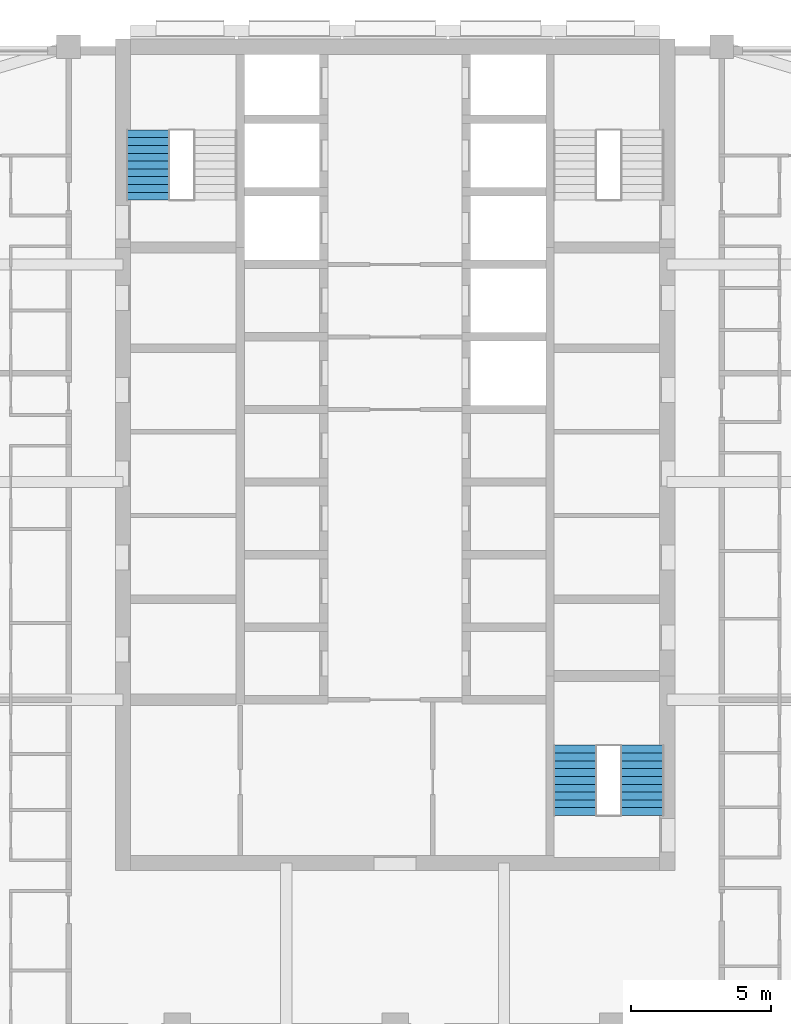
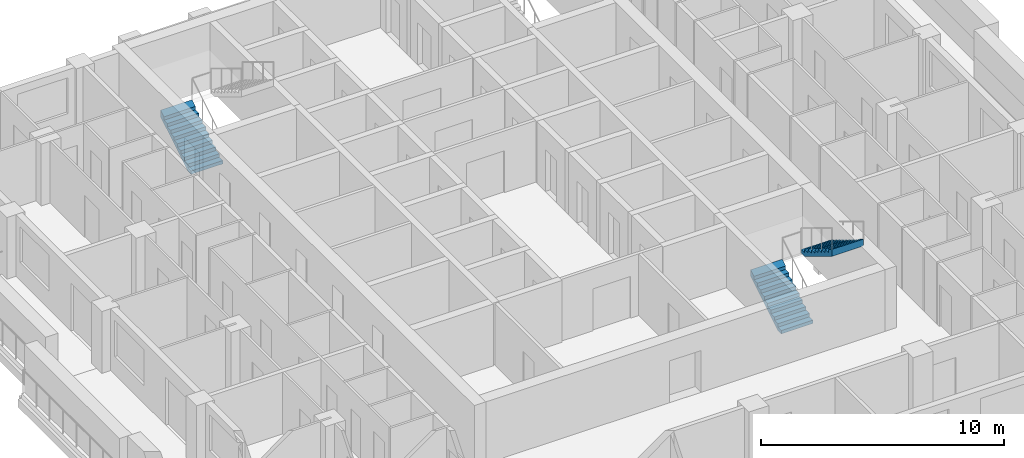
# One storey, part 11 of 14: 3 stair flights, 2 elements without a shape of their own.
"""IFC4 building model written with IfcOpenShell, lengths in metres."""

from ifc_helpers import new_model, si_unit, direction, frame, origin, place, context, subcontext, project, spatial, triangles, material, type_object, element, aggregate, save


model = new_model("IFC4")

# Units and contexts
model_context = context("Model", 3, precision=1e-05, world=origin(), true_north=direction((0.0, 1.0)))
body_context = subcontext(model_context, "Body", "Model", "MODEL_VIEW")
ifc_project = project(units=[si_unit("LENGTHUNIT", "METRE"), si_unit("AREAUNIT", "SQUARE_METRE"), si_unit("VOLUMEUNIT", "CUBIC_METRE"), si_unit("PLANEANGLEUNIT", "RADIAN"), si_unit("MASSUNIT", "GRAM", prefix="KILO")], contexts=[model_context])

# Site, building, storey
site_placement = place(None, origin())
site = spatial("IfcSite", under=ifc_project, at=site_placement, CompositionType="ELEMENT")
building_placement = place(site_placement, origin())
building = spatial("IfcBuilding", under=site, at=building_placement, Name="Ludao Terraces", CompositionType="ELEMENT")
storey_placement = place(building_placement, frame((0.0, 0.0, 140.699951171875)))
storey = spatial("IfcBuildingStorey", under=building, at=storey_placement, Name="L38", CompositionType="ELEMENT", Elevation=140.699951171875)

# Stair, stair flight
ifc_material = material(Name="Concrete C40", Category="concrete")
stair_type = type_object("IfcStairType", Name="INT Stair", PredefinedType="HALF_TURN_STAIR", material=ifc_material)
stair_1_placement = place(storey_placement, origin())
stair_1 = element("IfcStair", 1, at=stair_1_placement, inside=storey, type_object=stair_type, Name="EXIT STAIR 1", PredefinedType="HALF_TURN_STAIR")
stair_flight_type = type_object("IfcStairFlightType", Name="INT Stair flight", PredefinedType="STRAIGHT", material=ifc_material)
stair_flight_1_placement = place(storey_placement, frame((76.14990234375, 79.0, 0.0), z_axis=(0.0, 0.0, 1.0), x_axis=(0.0, 1.0, 0.0)))
stair_flight_1 = element("IfcStairFlight", 2, at=stair_flight_1_placement, type_object=stair_flight_type, Name="ST1 flight 1", NumberOfRisers=10, NumberOfTreads=9, PredefinedType="STRAIGHT", RiserHeight=0.17, TreadLength=0.28, context=body_context, shape_type="Tessellation", body=[
    triangles([(0.0, -0.75, 0.0), (0.0, -0.5, 0.0), (0.0, -0.25, 0.0), (0.0, 0.0, 0.0), (0.0, 0.25, 0.0), (0.0, 0.5, 0.0), (0.0, 0.75, 0.0), (0.0, -0.75, 0.169921875), (0.0, -0.5, 0.169921875), (0.0, -0.25, 0.169921875), (0.0, 0.0, 0.169921875), (0.0, 0.25, 0.169921875), (0.0, 0.5, 0.169921875), (0.0, 0.75, 0.169921875), (0.280029296875, -0.75, 0.169921875), (0.280029296875, -0.5, 0.169921875), (0.280029296875, -0.25, 0.169921875), (0.280029296875, 0.0, 0.169921875), (0.280029296875, 0.25, 0.169921875), (0.280029296875, 0.5, 0.169921875), (0.280029296875, 0.75, 0.169921875), (0.280029296875, -0.75, 0.340087890625), (0.280029296875, -0.5, 0.340087890625), (0.280029296875, -0.25, 0.340087890625), (0.280029296875, 0.0, 0.340087890625), (0.280029296875, 0.25, 0.340087890625), (0.280029296875, 0.5, 0.340087890625), (0.280029296875, 0.75, 0.340087890625), (0.56005859375, -0.75, 0.340087890625), (0.56005859375, -0.5, 0.340087890625), (0.56005859375, -0.25, 0.340087890625), (0.56005859375, 0.0, 0.340087890625), (0.56005859375, 0.25, 0.340087890625), (0.56005859375, 0.5, 0.340087890625), (0.56005859375, 0.75, 0.340087890625), (0.56005859375, -0.75, 0.510009765625), (0.56005859375, -0.5, 0.510009765625), (0.56005859375, -0.25, 0.510009765625), (0.56005859375, 0.0, 0.510009765625), (0.56005859375, 0.25, 0.510009765625), (0.56005859375, 0.5, 0.510009765625), (0.56005859375, 0.75, 0.510009765625), (0.840087890625, -0.75, 0.510009765625), (0.840087890625, -0.5, 0.510009765625), (0.840087890625, -0.25, 0.510009765625), (0.840087890625, 0.0, 0.510009765625), (0.840087890625, 0.25, 0.510009765625), (0.840087890625, 0.5, 0.510009765625), (0.840087890625, 0.75, 0.510009765625), (0.840087890625, -0.75, 0.679931640625), (0.840087890625, -0.5, 0.679931640625), (0.840087890625, -0.25, 0.679931640625), (0.840087890625, 0.0, 0.679931640625), (0.840087890625, 0.25, 0.679931640625), (0.840087890625, 0.5, 0.679931640625), (0.840087890625, 0.75, 0.679931640625), (1.1201171875, -0.75, 0.679931640625), (1.1201171875, -0.5, 0.679931640625), (1.1201171875, -0.25, 0.679931640625), (1.1201171875, 0.0, 0.679931640625), (1.1201171875, 0.25, 0.679931640625), (1.1201171875, 0.5, 0.679931640625), (1.1201171875, 0.75, 0.679931640625), (1.1201171875, -0.75, 0.85009765625), (1.1201171875, -0.5, 0.85009765625), (1.1201171875, -0.25, 0.85009765625), (1.1201171875, 0.0, 0.85009765625), (1.1201171875, 0.25, 0.85009765625), (1.1201171875, 0.5, 0.85009765625), (1.1201171875, 0.75, 0.85009765625), (1.39990234375, -0.75, 0.85009765625), (1.39990234375, -0.5, 0.85009765625), (1.39990234375, -0.25, 0.85009765625), (1.39990234375, 0.0, 0.85009765625), (1.39990234375, 0.25, 0.85009765625), (1.39990234375, 0.5, 0.85009765625), (1.39990234375, 0.75, 0.85009765625), (1.39990234375, -0.75, 1.02001953125), (1.39990234375, -0.5, 1.02001953125), (1.39990234375, -0.25, 1.02001953125), (1.39990234375, 0.0, 1.02001953125), (1.39990234375, 0.25, 1.02001953125), (1.39990234375, 0.5, 1.02001953125), (1.39990234375, 0.75, 1.02001953125), (1.679931640625, -0.75, 1.02001953125), (1.679931640625, -0.5, 1.02001953125), (1.679931640625, -0.25, 1.02001953125), (1.679931640625, 0.0, 1.02001953125), (1.679931640625, 0.25, 1.02001953125), (1.679931640625, 0.5, 1.02001953125), (1.679931640625, 0.75, 1.02001953125), (1.679931640625, -0.75, 1.18994140625), (1.679931640625, -0.5, 1.18994140625), (1.679931640625, -0.25, 1.18994140625), (1.679931640625, 0.0, 1.18994140625), (1.679931640625, 0.25, 1.18994140625), (1.679931640625, 0.5, 1.18994140625), (1.679931640625, 0.75, 1.18994140625), (1.9599609375, -0.75, 1.18994140625), (1.9599609375, -0.5, 1.18994140625), (1.9599609375, -0.25, 1.18994140625), (1.9599609375, 0.0, 1.18994140625), (1.9599609375, 0.25, 1.18994140625), (1.9599609375, 0.5, 1.18994140625), (1.9599609375, 0.75, 1.18994140625), (1.9599609375, -0.75, 1.360107421875), (1.9599609375, -0.5, 1.360107421875), (1.9599609375, -0.25, 1.360107421875), (1.9599609375, 0.0, 1.360107421875), (1.9599609375, 0.25, 1.360107421875), (1.9599609375, 0.5, 1.360107421875), (1.9599609375, 0.75, 1.360107421875), (2.239990234375, -0.75, 1.360107421875), (2.239990234375, -0.5, 1.360107421875), (2.239990234375, -0.25, 1.360107421875), (2.239990234375, 0.0, 1.360107421875), (2.239990234375, 0.25, 1.360107421875), (2.239990234375, 0.5, 1.360107421875), (2.239990234375, 0.75, 1.360107421875), (2.239990234375, -0.75, 1.530029296875), (2.239990234375, -0.5, 1.530029296875), (2.239990234375, -0.25, 1.530029296875), (2.239990234375, 0.0, 1.530029296875), (2.239990234375, 0.25, 1.530029296875), (2.239990234375, 0.5, 1.530029296875), (2.239990234375, 0.75, 1.530029296875), (2.52001953125, -0.75, 1.699951171875), (2.52001953125, -0.5, 1.699951171875), (2.52001953125, -0.25, 1.699951171875), (2.52001953125, 0.0, 1.699951171875), (2.52001953125, 0.25, 1.699951171875), (2.52001953125, 0.5, 1.699951171875), (2.52001953125, 0.75, 1.699951171875), (2.52001953125, -0.75, 1.354736328125), (2.52001953125, -0.5, 1.354736328125), (2.52001953125, -0.25, 1.354736328125), (2.52001953125, 0.0, 1.354736328125), (2.52001953125, 0.25, 1.354736328125), (2.52001953125, 0.5, 1.354736328125), (2.52001953125, 0.75, 1.354736328125), (0.288818359375, -0.75, 0.0), (0.288818359375, -0.5, 0.0), (0.288818359375, -0.25, 0.0), (0.288818359375, 0.0, 0.0), (0.288818359375, 0.25, 0.0), (0.288818359375, 0.5, 0.0), (0.288818359375, 0.75, 0.0)], [[1, 141, 134], [7, 140, 147], [134, 127, 120], [140, 126, 133], [134, 120, 113], [140, 119, 126], [134, 113, 106], [140, 112, 119], [134, 106, 99], [140, 105, 112], [99, 92, 85], [105, 91, 98], [134, 99, 85], [140, 91, 105], [85, 78, 71], [91, 77, 84], [134, 85, 71], [140, 77, 91], [71, 64, 57], [77, 63, 70], [134, 71, 57], [140, 63, 77], [57, 50, 43], [63, 49, 56], [134, 57, 43], [140, 49, 63], [43, 36, 29], [49, 35, 42], [134, 43, 29], [140, 35, 49], [29, 22, 15], [35, 21, 28], [134, 29, 15], [140, 21, 35], [1, 134, 15], [7, 21, 140], [15, 8, 1], [21, 7, 14], [1, 9, 2], [1, 8, 9], [2, 10, 3], [2, 9, 10], [3, 11, 4], [3, 10, 11], [4, 12, 5], [4, 11, 12], [5, 13, 6], [5, 12, 13], [6, 14, 7], [6, 13, 14], [8, 16, 9], [8, 15, 16], [9, 17, 10], [9, 16, 17], [10, 18, 11], [10, 17, 18], [11, 19, 12], [11, 18, 19], [12, 20, 13], [12, 19, 20], [13, 21, 14], [13, 20, 21], [15, 23, 16], [15, 22, 23], [16, 24, 17], [16, 23, 24], [17, 25, 18], [17, 24, 25], [18, 26, 19], [18, 25, 26], [19, 27, 20], [19, 26, 27], [20, 28, 21], [20, 27, 28], [22, 30, 23], [22, 29, 30], [23, 31, 24], [23, 30, 31], [24, 32, 25], [24, 31, 32], [25, 33, 26], [25, 32, 33], [26, 34, 27], [26, 33, 34], [27, 35, 28], [27, 34, 35], [29, 37, 30], [29, 36, 37], [30, 38, 31], [30, 37, 38], [31, 39, 32], [31, 38, 39], [32, 40, 33], [32, 39, 40], [33, 41, 34], [33, 40, 41], [34, 42, 35], [34, 41, 42], [36, 44, 37], [36, 43, 44], [37, 45, 38], [37, 44, 45], [38, 46, 39], [38, 45, 46], [39, 47, 40], [39, 46, 47], [40, 48, 41], [40, 47, 48], [41, 49, 42], [41, 48, 49], [43, 51, 44], [43, 50, 51], [44, 52, 45], [44, 51, 52], [45, 53, 46], [45, 52, 53], [46, 54, 47], [46, 53, 54], [47, 55, 48], [47, 54, 55], [48, 56, 49], [48, 55, 56], [50, 58, 51], [50, 57, 58], [51, 59, 52], [51, 58, 59], [52, 60, 53], [52, 59, 60], [53, 61, 54], [53, 60, 61], [54, 62, 55], [54, 61, 62], [55, 63, 56], [55, 62, 63], [57, 65, 58], [57, 64, 65], [58, 66, 59], [58, 65, 66], [59, 67, 60], [59, 66, 67], [60, 68, 61], [60, 67, 68], [61, 69, 62], [61, 68, 69], [62, 70, 63], [62, 69, 70], [64, 72, 65], [64, 71, 72], [65, 73, 66], [65, 72, 73], [66, 74, 67], [66, 73, 74], [67, 75, 68], [67, 74, 75], [68, 76, 69], [68, 75, 76], [69, 77, 70], [69, 76, 77], [71, 79, 72], [71, 78, 79], [72, 80, 73], [72, 79, 80], [73, 81, 74], [73, 80, 81], [74, 82, 75], [74, 81, 82], [75, 83, 76], [75, 82, 83], [76, 84, 77], [76, 83, 84], [78, 86, 79], [78, 85, 86], [79, 87, 80], [79, 86, 87], [80, 88, 81], [80, 87, 88], [81, 89, 82], [81, 88, 89], [82, 90, 83], [82, 89, 90], [83, 91, 84], [83, 90, 91], [85, 93, 86], [85, 92, 93], [86, 94, 87], [86, 93, 94], [87, 95, 88], [87, 94, 95], [88, 96, 89], [88, 95, 96], [89, 97, 90], [89, 96, 97], [90, 98, 91], [90, 97, 98], [92, 100, 93], [92, 99, 100], [93, 101, 94], [93, 100, 101], [94, 102, 95], [94, 101, 102], [95, 103, 96], [95, 102, 103], [96, 104, 97], [96, 103, 104], [97, 105, 98], [97, 104, 105], [99, 107, 100], [99, 106, 107], [100, 108, 101], [100, 107, 108], [101, 109, 102], [101, 108, 109], [102, 110, 103], [102, 109, 110], [103, 111, 104], [103, 110, 111], [104, 112, 105], [104, 111, 112], [106, 114, 107], [106, 113, 114], [107, 115, 108], [107, 114, 115], [108, 116, 109], [108, 115, 116], [109, 117, 110], [109, 116, 117], [110, 118, 111], [110, 117, 118], [111, 119, 112], [111, 118, 119], [113, 121, 114], [113, 120, 121], [114, 122, 115], [114, 121, 122], [115, 123, 116], [115, 122, 123], [116, 124, 117], [116, 123, 124], [117, 125, 118], [117, 124, 125], [118, 126, 119], [118, 125, 126], [120, 128, 121], [120, 127, 128], [121, 129, 122], [121, 128, 129], [122, 130, 123], [122, 129, 130], [123, 131, 124], [123, 130, 131], [124, 132, 125], [124, 131, 132], [125, 133, 126], [125, 132, 133], [127, 135, 128], [127, 134, 135], [128, 136, 129], [128, 135, 136], [129, 137, 130], [129, 136, 137], [130, 138, 131], [130, 137, 138], [131, 139, 132], [131, 138, 139], [132, 140, 133], [132, 139, 140], [134, 142, 135], [134, 141, 142], [135, 143, 136], [135, 142, 143], [136, 144, 137], [136, 143, 144], [137, 145, 138], [137, 144, 145], [138, 146, 139], [138, 145, 146], [139, 147, 140], [139, 146, 147], [141, 2, 142], [141, 1, 2], [142, 3, 143], [142, 2, 3], [143, 4, 144], [143, 3, 4], [144, 5, 145], [144, 4, 5], [145, 6, 146], [145, 5, 6], [146, 7, 147], [146, 6, 7]], closed=True),
])
aggregate(stair_1, [stair_flight_1])

# Stair, stair flights
stair_2_placement = place(storey_placement, origin())
stair_2 = element("IfcStair", 3, at=stair_2_placement, inside=storey, type_object=stair_type, Name="EXIT STAIR 3", PredefinedType="HALF_TURN_STAIR")
stair_flight_2_placement = place(storey_placement, frame((91.449951171875, 56.949951171875, 0.0), z_axis=(0.0, 0.0, 1.0), x_axis=(0.0, 1.0, 0.0)))
stair_flight_2 = element("IfcStairFlight", 4, at=stair_flight_2_placement, type_object=stair_flight_type, Name="ST3 flight 1", NumberOfRisers=10, NumberOfTreads=9, PredefinedType="STRAIGHT", RiserHeight=0.17, TreadLength=0.28, context=body_context, shape_type="Tessellation", body=[
    triangles([(0.0, -0.75, 0.0), (0.0, -0.5, 0.0), (0.0, -0.25, 0.0), (0.0, 0.0, 0.0), (0.0, 0.25, 0.0), (0.0, 0.5, 0.0), (0.0, 0.75, 0.0), (0.0, -0.75, 0.169921875), (0.0, -0.5, 0.169921875), (0.0, -0.25, 0.169921875), (0.0, 0.0, 0.169921875), (0.0, 0.25, 0.169921875), (0.0, 0.5, 0.169921875), (0.0, 0.75, 0.169921875), (0.280029296875, -0.75, 0.169921875), (0.280029296875, -0.5, 0.169921875), (0.280029296875, -0.25, 0.169921875), (0.280029296875, 0.0, 0.169921875), (0.280029296875, 0.25, 0.169921875), (0.280029296875, 0.5, 0.169921875), (0.280029296875, 0.75, 0.169921875), (0.280029296875, -0.75, 0.340087890625), (0.280029296875, -0.5, 0.340087890625), (0.280029296875, -0.25, 0.340087890625), (0.280029296875, 0.0, 0.340087890625), (0.280029296875, 0.25, 0.340087890625), (0.280029296875, 0.5, 0.340087890625), (0.280029296875, 0.75, 0.340087890625), (0.56005859375, -0.75, 0.340087890625), (0.56005859375, -0.5, 0.340087890625), (0.56005859375, -0.25, 0.340087890625), (0.56005859375, 0.0, 0.340087890625), (0.56005859375, 0.25, 0.340087890625), (0.56005859375, 0.5, 0.340087890625), (0.56005859375, 0.75, 0.340087890625), (0.56005859375, -0.75, 0.510009765625), (0.56005859375, -0.5, 0.510009765625), (0.56005859375, -0.25, 0.510009765625), (0.56005859375, 0.0, 0.510009765625), (0.56005859375, 0.25, 0.510009765625), (0.56005859375, 0.5, 0.510009765625), (0.56005859375, 0.75, 0.510009765625), (0.840087890625, -0.75, 0.510009765625), (0.840087890625, -0.5, 0.510009765625), (0.840087890625, -0.25, 0.510009765625), (0.840087890625, 0.0, 0.510009765625), (0.840087890625, 0.25, 0.510009765625), (0.840087890625, 0.5, 0.510009765625), (0.840087890625, 0.75, 0.510009765625), (0.840087890625, -0.75, 0.679931640625), (0.840087890625, -0.5, 0.679931640625), (0.840087890625, -0.25, 0.679931640625), (0.840087890625, 0.0, 0.679931640625), (0.840087890625, 0.25, 0.679931640625), (0.840087890625, 0.5, 0.679931640625), (0.840087890625, 0.75, 0.679931640625), (1.1201171875, -0.75, 0.679931640625), (1.1201171875, -0.5, 0.679931640625), (1.1201171875, -0.25, 0.679931640625), (1.1201171875, 0.0, 0.679931640625), (1.1201171875, 0.25, 0.679931640625), (1.1201171875, 0.5, 0.679931640625), (1.1201171875, 0.75, 0.679931640625), (1.1201171875, -0.75, 0.85009765625), (1.1201171875, -0.5, 0.85009765625), (1.1201171875, -0.25, 0.85009765625), (1.1201171875, 0.0, 0.85009765625), (1.1201171875, 0.25, 0.85009765625), (1.1201171875, 0.5, 0.85009765625), (1.1201171875, 0.75, 0.85009765625), (1.39990234375, -0.75, 0.85009765625), (1.39990234375, -0.5, 0.85009765625), (1.39990234375, -0.25, 0.85009765625), (1.39990234375, 0.0, 0.85009765625), (1.39990234375, 0.25, 0.85009765625), (1.39990234375, 0.5, 0.85009765625), (1.39990234375, 0.75, 0.85009765625), (1.39990234375, -0.75, 1.02001953125), (1.39990234375, -0.5, 1.02001953125), (1.39990234375, -0.25, 1.02001953125), (1.39990234375, 0.0, 1.02001953125), (1.39990234375, 0.25, 1.02001953125), (1.39990234375, 0.5, 1.02001953125), (1.39990234375, 0.75, 1.02001953125), (1.679931640625, -0.75, 1.02001953125), (1.679931640625, -0.5, 1.02001953125), (1.679931640625, -0.25, 1.02001953125), (1.679931640625, 0.0, 1.02001953125), (1.679931640625, 0.25, 1.02001953125), (1.679931640625, 0.5, 1.02001953125), (1.679931640625, 0.75, 1.02001953125), (1.679931640625, -0.75, 1.18994140625), (1.679931640625, -0.5, 1.18994140625), (1.679931640625, -0.25, 1.18994140625), (1.679931640625, 0.0, 1.18994140625), (1.679931640625, 0.25, 1.18994140625), (1.679931640625, 0.5, 1.18994140625), (1.679931640625, 0.75, 1.18994140625), (1.9599609375, -0.75, 1.18994140625), (1.9599609375, -0.5, 1.18994140625), (1.9599609375, -0.25, 1.18994140625), (1.9599609375, 0.0, 1.18994140625), (1.9599609375, 0.25, 1.18994140625), (1.9599609375, 0.5, 1.18994140625), (1.9599609375, 0.75, 1.18994140625), (1.9599609375, -0.75, 1.360107421875), (1.9599609375, -0.5, 1.360107421875), (1.9599609375, -0.25, 1.360107421875), (1.9599609375, 0.0, 1.360107421875), (1.9599609375, 0.25, 1.360107421875), (1.9599609375, 0.5, 1.360107421875), (1.9599609375, 0.75, 1.360107421875), (2.239990234375, -0.75, 1.360107421875), (2.239990234375, -0.5, 1.360107421875), (2.239990234375, -0.25, 1.360107421875), (2.239990234375, 0.0, 1.360107421875), (2.239990234375, 0.25, 1.360107421875), (2.239990234375, 0.5, 1.360107421875), (2.239990234375, 0.75, 1.360107421875), (2.239990234375, -0.75, 1.530029296875), (2.239990234375, -0.5, 1.530029296875), (2.239990234375, -0.25, 1.530029296875), (2.239990234375, 0.0, 1.530029296875), (2.239990234375, 0.25, 1.530029296875), (2.239990234375, 0.5, 1.530029296875), (2.239990234375, 0.75, 1.530029296875), (2.52001953125, -0.75, 1.699951171875), (2.52001953125, -0.5, 1.699951171875), (2.52001953125, -0.25, 1.699951171875), (2.52001953125, 0.0, 1.699951171875), (2.52001953125, 0.25, 1.699951171875), (2.52001953125, 0.5, 1.699951171875), (2.52001953125, 0.75, 1.699951171875), (2.52001953125, -0.75, 1.354736328125), (2.52001953125, -0.5, 1.354736328125), (2.52001953125, -0.25, 1.354736328125), (2.52001953125, 0.0, 1.354736328125), (2.52001953125, 0.25, 1.354736328125), (2.52001953125, 0.5, 1.354736328125), (2.52001953125, 0.75, 1.354736328125), (0.288818359375, -0.75, 0.0), (0.288818359375, -0.5, 0.0), (0.288818359375, -0.25, 0.0), (0.288818359375, 0.0, 0.0), (0.288818359375, 0.25, 0.0), (0.288818359375, 0.5, 0.0), (0.288818359375, 0.75, 0.0)], [[1, 141, 134], [7, 140, 147], [134, 127, 120], [140, 126, 133], [134, 120, 113], [140, 119, 126], [134, 113, 106], [140, 112, 119], [134, 106, 99], [140, 105, 112], [99, 92, 85], [105, 91, 98], [134, 99, 85], [140, 91, 105], [85, 78, 71], [91, 77, 84], [134, 85, 71], [140, 77, 91], [71, 64, 57], [77, 63, 70], [134, 71, 57], [140, 63, 77], [57, 50, 43], [63, 49, 56], [134, 57, 43], [140, 49, 63], [43, 36, 29], [49, 35, 42], [134, 43, 29], [140, 35, 49], [29, 22, 15], [35, 21, 28], [134, 29, 15], [140, 21, 35], [1, 134, 15], [7, 21, 140], [15, 8, 1], [21, 7, 14], [1, 9, 2], [1, 8, 9], [2, 10, 3], [2, 9, 10], [3, 11, 4], [3, 10, 11], [4, 12, 5], [4, 11, 12], [5, 13, 6], [5, 12, 13], [6, 14, 7], [6, 13, 14], [8, 16, 9], [8, 15, 16], [9, 17, 10], [9, 16, 17], [10, 18, 11], [10, 17, 18], [11, 19, 12], [11, 18, 19], [12, 20, 13], [12, 19, 20], [13, 21, 14], [13, 20, 21], [15, 23, 16], [15, 22, 23], [16, 24, 17], [16, 23, 24], [17, 25, 18], [17, 24, 25], [18, 26, 19], [18, 25, 26], [19, 27, 20], [19, 26, 27], [20, 28, 21], [20, 27, 28], [22, 30, 23], [22, 29, 30], [23, 31, 24], [23, 30, 31], [24, 32, 25], [24, 31, 32], [25, 33, 26], [25, 32, 33], [26, 34, 27], [26, 33, 34], [27, 35, 28], [27, 34, 35], [29, 37, 30], [29, 36, 37], [30, 38, 31], [30, 37, 38], [31, 39, 32], [31, 38, 39], [32, 40, 33], [32, 39, 40], [33, 41, 34], [33, 40, 41], [34, 42, 35], [34, 41, 42], [36, 44, 37], [36, 43, 44], [37, 45, 38], [37, 44, 45], [38, 46, 39], [38, 45, 46], [39, 47, 40], [39, 46, 47], [40, 48, 41], [40, 47, 48], [41, 49, 42], [41, 48, 49], [43, 51, 44], [43, 50, 51], [44, 52, 45], [44, 51, 52], [45, 53, 46], [45, 52, 53], [46, 54, 47], [46, 53, 54], [47, 55, 48], [47, 54, 55], [48, 56, 49], [48, 55, 56], [50, 58, 51], [50, 57, 58], [51, 59, 52], [51, 58, 59], [52, 60, 53], [52, 59, 60], [53, 61, 54], [53, 60, 61], [54, 62, 55], [54, 61, 62], [55, 63, 56], [55, 62, 63], [57, 65, 58], [57, 64, 65], [58, 66, 59], [58, 65, 66], [59, 67, 60], [59, 66, 67], [60, 68, 61], [60, 67, 68], [61, 69, 62], [61, 68, 69], [62, 70, 63], [62, 69, 70], [64, 72, 65], [64, 71, 72], [65, 73, 66], [65, 72, 73], [66, 74, 67], [66, 73, 74], [67, 75, 68], [67, 74, 75], [68, 76, 69], [68, 75, 76], [69, 77, 70], [69, 76, 77], [71, 79, 72], [71, 78, 79], [72, 80, 73], [72, 79, 80], [73, 81, 74], [73, 80, 81], [74, 82, 75], [74, 81, 82], [75, 83, 76], [75, 82, 83], [76, 84, 77], [76, 83, 84], [78, 86, 79], [78, 85, 86], [79, 87, 80], [79, 86, 87], [80, 88, 81], [80, 87, 88], [81, 89, 82], [81, 88, 89], [82, 90, 83], [82, 89, 90], [83, 91, 84], [83, 90, 91], [85, 93, 86], [85, 92, 93], [86, 94, 87], [86, 93, 94], [87, 95, 88], [87, 94, 95], [88, 96, 89], [88, 95, 96], [89, 97, 90], [89, 96, 97], [90, 98, 91], [90, 97, 98], [92, 100, 93], [92, 99, 100], [93, 101, 94], [93, 100, 101], [94, 102, 95], [94, 101, 102], [95, 103, 96], [95, 102, 103], [96, 104, 97], [96, 103, 104], [97, 105, 98], [97, 104, 105], [99, 107, 100], [99, 106, 107], [100, 108, 101], [100, 107, 108], [101, 109, 102], [101, 108, 109], [102, 110, 103], [102, 109, 110], [103, 111, 104], [103, 110, 111], [104, 112, 105], [104, 111, 112], [106, 114, 107], [106, 113, 114], [107, 115, 108], [107, 114, 115], [108, 116, 109], [108, 115, 116], [109, 117, 110], [109, 116, 117], [110, 118, 111], [110, 117, 118], [111, 119, 112], [111, 118, 119], [113, 121, 114], [113, 120, 121], [114, 122, 115], [114, 121, 122], [115, 123, 116], [115, 122, 123], [116, 124, 117], [116, 123, 124], [117, 125, 118], [117, 124, 125], [118, 126, 119], [118, 125, 126], [120, 128, 121], [120, 127, 128], [121, 129, 122], [121, 128, 129], [122, 130, 123], [122, 129, 130], [123, 131, 124], [123, 130, 131], [124, 132, 125], [124, 131, 132], [125, 133, 126], [125, 132, 133], [127, 135, 128], [127, 134, 135], [128, 136, 129], [128, 135, 136], [129, 137, 130], [129, 136, 137], [130, 138, 131], [130, 137, 138], [131, 139, 132], [131, 138, 139], [132, 140, 133], [132, 139, 140], [134, 142, 135], [134, 141, 142], [135, 143, 136], [135, 142, 143], [136, 144, 137], [136, 143, 144], [137, 145, 138], [137, 144, 145], [138, 146, 139], [138, 145, 146], [139, 147, 140], [139, 146, 147], [141, 2, 142], [141, 1, 2], [142, 3, 143], [142, 2, 3], [143, 4, 144], [143, 3, 4], [144, 5, 145], [144, 4, 5], [145, 6, 146], [145, 5, 6], [146, 7, 147], [146, 6, 7]], closed=True),
])
stair_flight_3_placement = place(storey_placement, frame((93.85009765625, 59.469970703125, 1.699951171875), z_axis=(0.0, 0.0, 1.0), x_axis=(0.0, -1.0, 0.0)))
stair_flight_3 = element("IfcStairFlight", 5, at=stair_flight_3_placement, type_object=stair_flight_type, Name="ST3 flight 2", NumberOfRisers=10, NumberOfTreads=9, PredefinedType="STRAIGHT", RiserHeight=0.17, TreadLength=0.28, context=body_context, shape_type="Tessellation", body=[
    triangles([(0.0, -0.75, 0.0), (0.0, -0.5, 0.0), (0.0, -0.25, 0.0), (0.0, 0.0, 0.0), (0.0, 0.25, 0.0), (0.0, 0.5, 0.0), (0.0, 0.75, 0.0), (0.0, -0.75, 0.169921875), (0.0, -0.5, 0.169921875), (0.0, -0.25, 0.169921875), (0.0, 0.0, 0.169921875), (0.0, 0.25, 0.169921875), (0.0, 0.5, 0.169921875), (0.0, 0.75, 0.169921875), (0.280029296875, -0.75, 0.169921875), (0.280029296875, -0.5, 0.169921875), (0.280029296875, -0.25, 0.169921875), (0.280029296875, 0.0, 0.169921875), (0.280029296875, 0.25, 0.169921875), (0.280029296875, 0.5, 0.169921875), (0.280029296875, 0.75, 0.169921875), (0.280029296875, -0.75, 0.340087890625), (0.280029296875, -0.5, 0.340087890625), (0.280029296875, -0.25, 0.340087890625), (0.280029296875, 0.0, 0.340087890625), (0.280029296875, 0.25, 0.340087890625), (0.280029296875, 0.5, 0.340087890625), (0.280029296875, 0.75, 0.340087890625), (0.56005859375, -0.75, 0.340087890625), (0.56005859375, -0.5, 0.340087890625), (0.56005859375, -0.25, 0.340087890625), (0.56005859375, 0.0, 0.340087890625), (0.56005859375, 0.25, 0.340087890625), (0.56005859375, 0.5, 0.340087890625), (0.56005859375, 0.75, 0.340087890625), (0.56005859375, -0.75, 0.510009765625), (0.56005859375, -0.5, 0.510009765625), (0.56005859375, -0.25, 0.510009765625), (0.56005859375, 0.0, 0.510009765625), (0.56005859375, 0.25, 0.510009765625), (0.56005859375, 0.5, 0.510009765625), (0.56005859375, 0.75, 0.510009765625), (0.840087890625, -0.75, 0.510009765625), (0.840087890625, -0.5, 0.510009765625), (0.840087890625, -0.25, 0.510009765625), (0.840087890625, 0.0, 0.510009765625), (0.840087890625, 0.25, 0.510009765625), (0.840087890625, 0.5, 0.510009765625), (0.840087890625, 0.75, 0.510009765625), (0.840087890625, -0.75, 0.679931640625), (0.840087890625, -0.5, 0.679931640625), (0.840087890625, -0.25, 0.679931640625), (0.840087890625, 0.0, 0.679931640625), (0.840087890625, 0.25, 0.679931640625), (0.840087890625, 0.5, 0.679931640625), (0.840087890625, 0.75, 0.679931640625), (1.1201171875, -0.75, 0.679931640625), (1.1201171875, -0.5, 0.679931640625), (1.1201171875, -0.25, 0.679931640625), (1.1201171875, 0.0, 0.679931640625), (1.1201171875, 0.25, 0.679931640625), (1.1201171875, 0.5, 0.679931640625), (1.1201171875, 0.75, 0.679931640625), (1.1201171875, -0.75, 0.85009765625), (1.1201171875, -0.5, 0.85009765625), (1.1201171875, -0.25, 0.85009765625), (1.1201171875, 0.0, 0.85009765625), (1.1201171875, 0.25, 0.85009765625), (1.1201171875, 0.5, 0.85009765625), (1.1201171875, 0.75, 0.85009765625), (1.39990234375, -0.75, 0.85009765625), (1.39990234375, -0.5, 0.85009765625), (1.39990234375, -0.25, 0.85009765625), (1.39990234375, 0.0, 0.85009765625), (1.39990234375, 0.25, 0.85009765625), (1.39990234375, 0.5, 0.85009765625), (1.39990234375, 0.75, 0.85009765625), (1.39990234375, -0.75, 1.02001953125), (1.39990234375, -0.5, 1.02001953125), (1.39990234375, -0.25, 1.02001953125), (1.39990234375, 0.0, 1.02001953125), (1.39990234375, 0.25, 1.02001953125), (1.39990234375, 0.5, 1.02001953125), (1.39990234375, 0.75, 1.02001953125), (1.679931640625, -0.75, 1.02001953125), (1.679931640625, -0.5, 1.02001953125), (1.679931640625, -0.25, 1.02001953125), (1.679931640625, 0.0, 1.02001953125), (1.679931640625, 0.25, 1.02001953125), (1.679931640625, 0.5, 1.02001953125), (1.679931640625, 0.75, 1.02001953125), (1.679931640625, -0.75, 1.18994140625), (1.679931640625, -0.5, 1.18994140625), (1.679931640625, -0.25, 1.18994140625), (1.679931640625, 0.0, 1.18994140625), (1.679931640625, 0.25, 1.18994140625), (1.679931640625, 0.5, 1.18994140625), (1.679931640625, 0.75, 1.18994140625), (1.9599609375, -0.75, 1.18994140625), (1.9599609375, -0.5, 1.18994140625), (1.9599609375, -0.25, 1.18994140625), (1.9599609375, 0.0, 1.18994140625), (1.9599609375, 0.25, 1.18994140625), (1.9599609375, 0.5, 1.18994140625), (1.9599609375, 0.75, 1.18994140625), (1.9599609375, -0.75, 1.360107421875), (1.9599609375, -0.5, 1.360107421875), (1.9599609375, -0.25, 1.360107421875), (1.9599609375, 0.0, 1.360107421875), (1.9599609375, 0.25, 1.360107421875), (1.9599609375, 0.5, 1.360107421875), (1.9599609375, 0.75, 1.360107421875), (2.239990234375, -0.75, 1.360107421875), (2.239990234375, -0.5, 1.360107421875), (2.239990234375, -0.25, 1.360107421875), (2.239990234375, 0.0, 1.360107421875), (2.239990234375, 0.25, 1.360107421875), (2.239990234375, 0.5, 1.360107421875), (2.239990234375, 0.75, 1.360107421875), (2.239990234375, -0.75, 1.530029296875), (2.239990234375, -0.5, 1.530029296875), (2.239990234375, -0.25, 1.530029296875), (2.239990234375, 0.0, 1.530029296875), (2.239990234375, 0.25, 1.530029296875), (2.239990234375, 0.5, 1.530029296875), (2.239990234375, 0.75, 1.530029296875), (2.52001953125, -0.75, 1.699951171875), (2.52001953125, -0.5, 1.699951171875), (2.52001953125, -0.25, 1.699951171875), (2.52001953125, 0.0, 1.699951171875), (2.52001953125, 0.25, 1.699951171875), (2.52001953125, 0.5, 1.699951171875), (2.52001953125, 0.75, 1.699951171875), (2.52001953125, -0.75, 1.354736328125), (2.52001953125, -0.5, 1.354736328125), (2.52001953125, -0.25, 1.354736328125), (2.52001953125, 0.0, 1.354736328125), (2.52001953125, 0.25, 1.354736328125), (2.52001953125, 0.5, 1.354736328125), (2.52001953125, 0.75, 1.354736328125), (0.288818359375, -0.75, 0.0), (0.288818359375, -0.5, 0.0), (0.288818359375, -0.25, 0.0), (0.288818359375, 0.0, 0.0), (0.288818359375, 0.25, 0.0), (0.288818359375, 0.5, 0.0), (0.288818359375, 0.75, 0.0)], [[1, 141, 134], [7, 140, 147], [134, 127, 120], [140, 126, 133], [134, 120, 113], [140, 119, 126], [134, 113, 106], [140, 112, 119], [134, 106, 99], [140, 105, 112], [99, 92, 85], [105, 91, 98], [134, 99, 85], [140, 91, 105], [85, 78, 71], [91, 77, 84], [134, 85, 71], [140, 77, 91], [71, 64, 57], [77, 63, 70], [134, 71, 57], [140, 63, 77], [57, 50, 43], [63, 49, 56], [134, 57, 43], [140, 49, 63], [43, 36, 29], [49, 35, 42], [134, 43, 29], [140, 35, 49], [29, 22, 15], [35, 21, 28], [134, 29, 15], [140, 21, 35], [1, 134, 15], [7, 21, 140], [15, 8, 1], [21, 7, 14], [1, 9, 2], [1, 8, 9], [2, 10, 3], [2, 9, 10], [3, 11, 4], [3, 10, 11], [4, 12, 5], [4, 11, 12], [5, 13, 6], [5, 12, 13], [6, 14, 7], [6, 13, 14], [8, 16, 9], [8, 15, 16], [9, 17, 10], [9, 16, 17], [10, 18, 11], [10, 17, 18], [11, 19, 12], [11, 18, 19], [12, 20, 13], [12, 19, 20], [13, 21, 14], [13, 20, 21], [15, 23, 16], [15, 22, 23], [16, 24, 17], [16, 23, 24], [17, 25, 18], [17, 24, 25], [18, 26, 19], [18, 25, 26], [19, 27, 20], [19, 26, 27], [20, 28, 21], [20, 27, 28], [22, 30, 23], [22, 29, 30], [23, 31, 24], [23, 30, 31], [24, 32, 25], [24, 31, 32], [25, 33, 26], [25, 32, 33], [26, 34, 27], [26, 33, 34], [27, 35, 28], [27, 34, 35], [29, 37, 30], [29, 36, 37], [30, 38, 31], [30, 37, 38], [31, 39, 32], [31, 38, 39], [32, 40, 33], [32, 39, 40], [33, 41, 34], [33, 40, 41], [34, 42, 35], [34, 41, 42], [36, 44, 37], [36, 43, 44], [37, 45, 38], [37, 44, 45], [38, 46, 39], [38, 45, 46], [39, 47, 40], [39, 46, 47], [40, 48, 41], [40, 47, 48], [41, 49, 42], [41, 48, 49], [43, 51, 44], [43, 50, 51], [44, 52, 45], [44, 51, 52], [45, 53, 46], [45, 52, 53], [46, 54, 47], [46, 53, 54], [47, 55, 48], [47, 54, 55], [48, 56, 49], [48, 55, 56], [50, 58, 51], [50, 57, 58], [51, 59, 52], [51, 58, 59], [52, 60, 53], [52, 59, 60], [53, 61, 54], [53, 60, 61], [54, 62, 55], [54, 61, 62], [55, 63, 56], [55, 62, 63], [57, 65, 58], [57, 64, 65], [58, 66, 59], [58, 65, 66], [59, 67, 60], [59, 66, 67], [60, 68, 61], [60, 67, 68], [61, 69, 62], [61, 68, 69], [62, 70, 63], [62, 69, 70], [64, 72, 65], [64, 71, 72], [65, 73, 66], [65, 72, 73], [66, 74, 67], [66, 73, 74], [67, 75, 68], [67, 74, 75], [68, 76, 69], [68, 75, 76], [69, 77, 70], [69, 76, 77], [71, 79, 72], [71, 78, 79], [72, 80, 73], [72, 79, 80], [73, 81, 74], [73, 80, 81], [74, 82, 75], [74, 81, 82], [75, 83, 76], [75, 82, 83], [76, 84, 77], [76, 83, 84], [78, 86, 79], [78, 85, 86], [79, 87, 80], [79, 86, 87], [80, 88, 81], [80, 87, 88], [81, 89, 82], [81, 88, 89], [82, 90, 83], [82, 89, 90], [83, 91, 84], [83, 90, 91], [85, 93, 86], [85, 92, 93], [86, 94, 87], [86, 93, 94], [87, 95, 88], [87, 94, 95], [88, 96, 89], [88, 95, 96], [89, 97, 90], [89, 96, 97], [90, 98, 91], [90, 97, 98], [92, 100, 93], [92, 99, 100], [93, 101, 94], [93, 100, 101], [94, 102, 95], [94, 101, 102], [95, 103, 96], [95, 102, 103], [96, 104, 97], [96, 103, 104], [97, 105, 98], [97, 104, 105], [99, 107, 100], [99, 106, 107], [100, 108, 101], [100, 107, 108], [101, 109, 102], [101, 108, 109], [102, 110, 103], [102, 109, 110], [103, 111, 104], [103, 110, 111], [104, 112, 105], [104, 111, 112], [106, 114, 107], [106, 113, 114], [107, 115, 108], [107, 114, 115], [108, 116, 109], [108, 115, 116], [109, 117, 110], [109, 116, 117], [110, 118, 111], [110, 117, 118], [111, 119, 112], [111, 118, 119], [113, 121, 114], [113, 120, 121], [114, 122, 115], [114, 121, 122], [115, 123, 116], [115, 122, 123], [116, 124, 117], [116, 123, 124], [117, 125, 118], [117, 124, 125], [118, 126, 119], [118, 125, 126], [120, 128, 121], [120, 127, 128], [121, 129, 122], [121, 128, 129], [122, 130, 123], [122, 129, 130], [123, 131, 124], [123, 130, 131], [124, 132, 125], [124, 131, 132], [125, 133, 126], [125, 132, 133], [127, 135, 128], [127, 134, 135], [128, 136, 129], [128, 135, 136], [129, 137, 130], [129, 136, 137], [130, 138, 131], [130, 137, 138], [131, 139, 132], [131, 138, 139], [132, 140, 133], [132, 139, 140], [134, 142, 135], [134, 141, 142], [135, 143, 136], [135, 142, 143], [136, 144, 137], [136, 143, 144], [137, 145, 138], [137, 144, 145], [138, 146, 139], [138, 145, 146], [139, 147, 140], [139, 146, 147], [141, 2, 142], [141, 1, 2], [142, 3, 143], [142, 2, 3], [143, 4, 144], [143, 3, 4], [144, 5, 145], [144, 4, 5], [145, 6, 146], [145, 5, 6], [146, 7, 147], [146, 6, 7]], closed=True),
])
aggregate(stair_2, [stair_flight_2, stair_flight_3])

save(model, "model.ifc")
